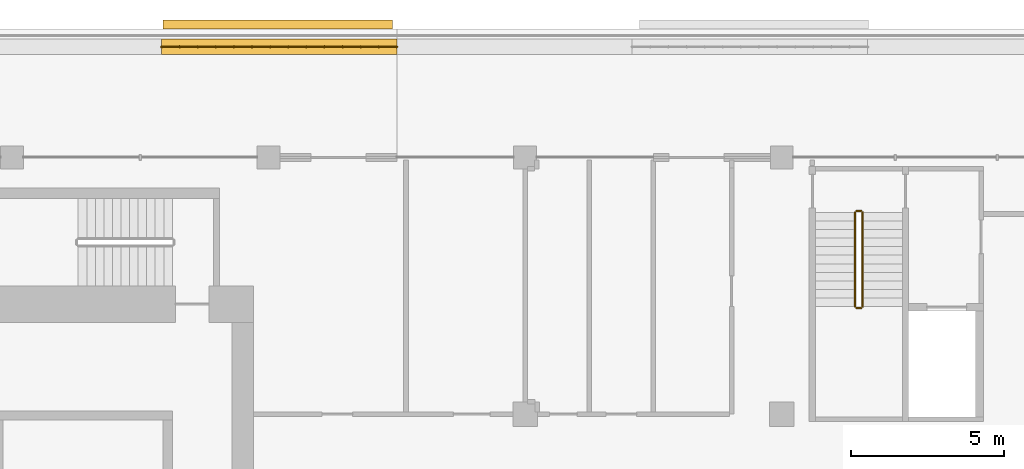
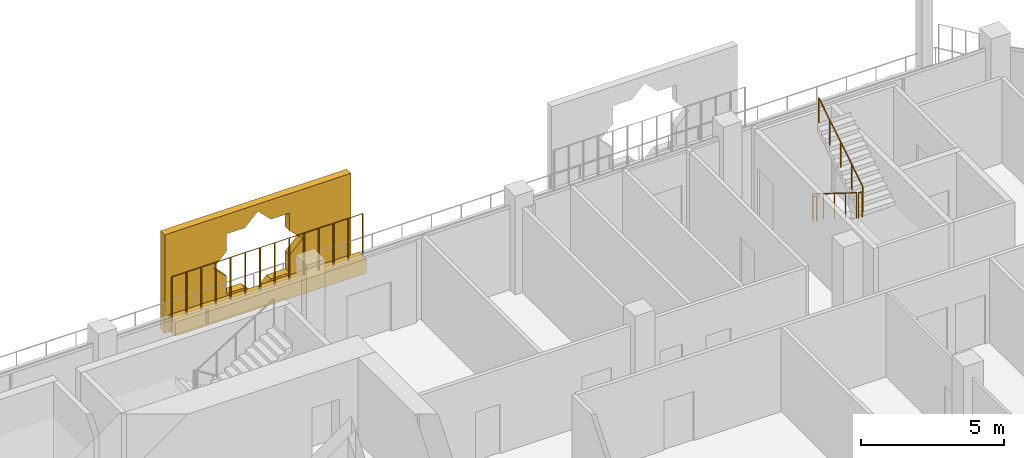
# One storey, part 20 of 21: 5 railings, 2 coverings.
"""IFC4 building model written with IfcOpenShell, lengths in metres."""

from ifc_helpers import new_model, si_unit, direction, frame, origin, origin_2d, place, context, subcontext, project, spatial, polyline, rectangle, circle, outline, extrude, material, material_profile, profile_set, type_object, element, save


model = new_model("IFC4")

# Units and contexts
model_context = context("Model", 3, precision=1e-05, world=origin(), true_north=direction((0.0, 1.0)))
body_context = subcontext(model_context, "Body", "Model", "MODEL_VIEW")
ifc_project = project(units=[si_unit("LENGTHUNIT", "METRE"), si_unit("AREAUNIT", "SQUARE_METRE"), si_unit("VOLUMEUNIT", "CUBIC_METRE"), si_unit("PLANEANGLEUNIT", "RADIAN"), si_unit("MASSUNIT", "GRAM", prefix="KILO")], contexts=[model_context])

# Site, building, storey
site_placement = place(None, origin())
site = spatial("IfcSite", under=ifc_project, at=site_placement, CompositionType="ELEMENT")
building_placement = place(site_placement, origin())
building = spatial("IfcBuilding", under=site, at=building_placement, Name="Kawkab Arch Medical Tower", CompositionType="ELEMENT")
storey_placement = place(building_placement, frame((0.0, 0.0, 311.199951171875)))
storey = spatial("IfcBuildingStorey", under=building, at=storey_placement, Name="L72", CompositionType="ELEMENT", Elevation=311.199951171875)

# Coverings
ifc_material_1 = material(Name="Bronze anodised aluminium mashrabiya panel, eight-point star pattern", Category="aluminium")
ifc_material_profile_1 = material_profile(ifc_material_1, outline(polyline([(-3.75, -2.10009765625), (3.75, -2.10009765625), (3.75, 2.10009765625), (-3.75, 2.10009765625), (-3.75, -2.10009765625)]), holes=[polyline([(1.800048828125, 0.0), (1.272705078125, 0.527099609375), (1.272705078125, 1.272705078125), (0.527099609375, 1.272705078125), (0.0, 1.800048828125), (-0.527099609375, 1.272705078125), (-1.272705078125, 1.272705078125), (-1.272705078125, 0.527099609375), (-1.800048828125, 0.0), (-1.272705078125, -0.527099609375), (-1.272705078125, -1.272705078125), (-0.527099609375, -1.272705078125), (0.0, -1.800048828125), (0.527099609375, -1.272705078125), (1.272705078125, -1.272705078125), (1.272705078125, -0.527099609375), (1.800048828125, 0.0)])]), Name="Mashrabiya panel 7500x4200")
ifc_profile_set_1 = profile_set([ifc_material_profile_1], Name="Bronze anodised aluminium mashrabiya panel, eight-point star pattern")
covering_type_1 = type_object("IfcCoveringType", Name="Mashrabiya panel 7500 x 4200", PredefinedType="USERDEFINED", material=ifc_profile_set_1)
covering_1_placement = place(storey_placement, frame((25.500732421875, 4.199951171875, 1.699951171875), z_axis=(0.0, 1.0, 0.0), x_axis=(-1.0, 0.0, 0.0)))
element("IfcCovering", 1, at=covering_1_placement, inside=storey, type_object=covering_type_1, Name="Mashrabiya panel L72.LOG-01-01.4", ObjectType="SCREEN", PredefinedType="USERDEFINED", context=body_context, shape_type="SweptSolid", body=[
    extrude(outline(polyline([(-3.75, -2.10009765625), (3.75, -2.10009765625), (3.75, 2.10009765625), (-3.75, 2.10009765625), (-3.75, -2.10009765625)]), holes=[polyline([(1.800048828125, 0.0), (1.272705078125, 0.527099609375), (1.272705078125, 1.272705078125), (0.527099609375, 1.272705078125), (0.0, 1.800048828125), (-0.527099609375, 1.272705078125), (-1.272705078125, 1.272705078125), (-1.272705078125, 0.527099609375), (-1.800048828125, 0.0), (-1.272705078125, -0.527099609375), (-1.272705078125, -1.272705078125), (-0.527099609375, -1.272705078125), (0.0, -1.800048828125), (0.527099609375, -1.272705078125), (1.272705078125, -1.272705078125), (1.272705078125, -0.527099609375), (1.800048828125, 0.0)])]), origin(), (0.0, 0.0, 1.0), 0.300048828125),
])
ifc_material_2 = material(Name="Planting soil in a precast trough", Category="concrete")
ifc_material_profile_2 = material_profile(ifc_material_2, rectangle(XDim=0.5, YDim=0.60009765625, at=origin_2d()), Name="Trough 500x600")
ifc_profile_set_2 = profile_set([ifc_material_profile_2], Name="Planting soil in a precast trough")
covering_type_2 = type_object("IfcCoveringType", Name="Planter trough 500 x 600", PredefinedType="USERDEFINED", material=ifc_profile_set_2)
covering_2_placement = place(storey_placement, frame((21.695068359375, 3.6201171875, 0.300048828125), z_axis=(1.0, 0.0, 0.0), x_axis=(0.0, 1.0, 0.0)))
element("IfcCovering", 2, at=covering_2_placement, inside=storey, type_object=covering_type_2, Name="Planter L72.LOG-01-01.15", ObjectType="PLANTER", PredefinedType="USERDEFINED", context=body_context, shape_type="SweptSolid", body=[
    extrude(rectangle(XDim=0.5, YDim=0.60009765625, at=origin_2d()), origin(), (0.0, 0.0, 1.0), 7.704833984375),
])

# Railings
ifc_material_3 = material(Name="Bronze anodised aluminium trellis for climbing plants", Category="aluminium")
railing_type_1 = type_object("IfcRailingType", Name="Planting trellis 2400", PredefinedType="USERDEFINED", material=ifc_material_3)
railing_1_placement = place(storey_placement, frame((21.695068359375, 3.6201171875, 0.0)))
element("IfcRailing", 3, at=railing_1_placement, inside=storey, type_object=railing_type_1, Name="Planting trellis L72.LOG-01-01.15", ObjectType="TRELLIS", PredefinedType="USERDEFINED", context=body_context, shape_type="SweptSolid", body=[
    extrude(circle(Radius=0.01513671875, at=origin_2d()), frame((0.0, 0.0, 2.384765625), z_axis=(1.0, 0.0, 0.0), x_axis=(0.0, 1.0, 0.0)), (0.0, 0.0, 1.0), 7.704833984375),
    extrude(circle(Radius=0.030029296875, at=origin_2d()), origin(), (0.0, 0.0, 1.0), 2.369873046875),
    extrude(circle(Radius=0.030029296875, at=origin_2d()), frame((0.5927734375, 0.0, 0.0)), (0.0, 0.0, 1.0), 2.369873046875),
    extrude(circle(Radius=0.030029296875, at=origin_2d()), frame((1.185302734375, 0.0, 0.0)), (0.0, 0.0, 1.0), 2.369873046875),
    extrude(circle(Radius=0.030029296875, at=origin_2d()), frame((1.778076171875, 0.0, 0.0)), (0.0, 0.0, 1.0), 2.369873046875),
    extrude(circle(Radius=0.030029296875, at=origin_2d()), frame((2.37060546875, 0.0, 0.0)), (0.0, 0.0, 1.0), 2.369873046875),
    extrude(circle(Radius=0.030029296875, at=origin_2d()), frame((2.96337890625, 0.0, 0.0)), (0.0, 0.0, 1.0), 2.369873046875),
    extrude(circle(Radius=0.030029296875, at=origin_2d()), frame((3.55615234375, 0.0, 0.0)), (0.0, 0.0, 1.0), 2.369873046875),
    extrude(circle(Radius=0.030029296875, at=origin_2d()), frame((4.148681640625, 0.0, 0.0)), (0.0, 0.0, 1.0), 2.369873046875),
    extrude(circle(Radius=0.030029296875, at=origin_2d()), frame((4.741455078125, 0.0, 0.0)), (0.0, 0.0, 1.0), 2.369873046875),
    extrude(circle(Radius=0.030029296875, at=origin_2d()), frame((5.334228515625, 0.0, 0.0)), (0.0, 0.0, 1.0), 2.369873046875),
    extrude(circle(Radius=0.030029296875, at=origin_2d()), frame((5.9267578125, 0.0, 0.0)), (0.0, 0.0, 1.0), 2.369873046875),
    extrude(circle(Radius=0.030029296875, at=origin_2d()), frame((6.51953125, 0.0, 0.0)), (0.0, 0.0, 1.0), 2.369873046875),
    extrude(circle(Radius=0.030029296875, at=origin_2d()), frame((7.112060546875, 0.0, 0.0)), (0.0, 0.0, 1.0), 2.369873046875),
    extrude(circle(Radius=0.030029296875, at=origin_2d()), frame((7.704833984375, 0.0, 0.0)), (0.0, 0.0, 1.0), 2.369873046875),
])
ifc_material_4 = material(Name="Stainless steel", Category="steel")
railing_type_2 = type_object("IfcRailingType", Name="Stair guard 1100", PredefinedType="GUARDRAIL", material=ifc_material_4)
railing_2_placement = place(storey_placement, frame((44.39990234375, -1.800048828125, 0.175048828125)))
element("IfcRailing", 4, at=railing_2_placement, inside=storey, type_object=railing_type_2, Name="L72 ST5 stair guard 1", PredefinedType="GUARDRAIL", context=body_context, shape_type="SweptSolid", body=[
    extrude(circle(Radius=0.02392578125, at=origin_2d()), frame((0.0, 0.0, 1.076171875), z_axis=(0.0, -0.847979421464, 0.530029150871), x_axis=(1.0, 0.0, 0.0)), (0.0, 0.0, 1.0), 3.632080078125),
    extrude(circle(Radius=0.02099609375, at=origin_2d()), origin(), (0.0, 0.0, 1.0), 1.052001953125),
    extrude(circle(Radius=0.02099609375, at=origin_2d()), frame((0.0, -0.77001953125, 0.481201171875)), (0.0, 0.0, 1.0), 1.052001953125),
    extrude(circle(Radius=0.02099609375, at=origin_2d()), frame((0.0, -1.5400390625, 0.96240234375)), (0.0, 0.0, 1.0), 1.052001953125),
    extrude(circle(Radius=0.02099609375, at=origin_2d()), frame((0.0, -2.309814453125, 1.44384765625)), (0.0, 0.0, 1.0), 1.052001953125),
    extrude(circle(Radius=0.02099609375, at=origin_2d()), frame((0.0, -3.079833984375, 1.925048828125)), (0.0, 0.0, 1.0), 1.052001953125),
])
railing_3_placement = place(storey_placement, frame((44.449951171875, -4.929931640625, 2.10009765625)))
element("IfcRailing", 5, at=railing_3_placement, inside=storey, type_object=railing_type_2, Name="L72 ST5 stair guard 2", PredefinedType="GUARDRAIL", context=body_context, shape_type="SweptSolid", body=[
    extrude(circle(Radius=0.02392578125, at=origin_2d()), frame((0.0, 0.0, 1.076171875), z_axis=(1.0, 0.0, 0.0), x_axis=(0.0, 1.0, 0.0)), (0.0, 0.0, 1.0), 0.150146484375),
    extrude(circle(Radius=0.02099609375, at=origin_2d()), origin(), (0.0, 0.0, 1.0), 1.052001953125),
    extrude(circle(Radius=0.02099609375, at=origin_2d()), frame((0.150146484375, 0.0, 0.0)), (0.0, 0.0, 1.0), 1.052001953125),
])
railing_4_placement = place(storey_placement, frame((44.64990234375, -4.8798828125, 2.275146484375)))
element("IfcRailing", 6, at=railing_4_placement, inside=storey, type_object=railing_type_2, Name="L72 ST5 stair guard 3", PredefinedType="GUARDRAIL", context=body_context, shape_type="SweptSolid", body=[
    extrude(circle(Radius=0.02392578125, at=origin_2d()), frame((0.0, 0.0, 1.076171875), z_axis=(0.0, 0.848009633417, 0.529980812513), x_axis=(-1.0, 0.0, 0.0)), (0.0, 0.0, 1.0), 3.6318359375),
    extrude(circle(Radius=0.02099609375, at=origin_2d()), origin(), (0.0, 0.0, 1.0), 1.052001953125),
    extrude(circle(Radius=0.02099609375, at=origin_2d()), frame((0.0, 0.77001953125, 0.481201171875)), (0.0, 0.0, 1.0), 1.052001953125),
    extrude(circle(Radius=0.02099609375, at=origin_2d()), frame((0.0, 1.5400390625, 0.96240234375)), (0.0, 0.0, 1.0), 1.052001953125),
    extrude(circle(Radius=0.02099609375, at=origin_2d()), frame((0.0, 2.309814453125, 1.443603515625)), (0.0, 0.0, 1.0), 1.052001953125),
    extrude(circle(Radius=0.02099609375, at=origin_2d()), frame((0.0, 3.079833984375, 1.9248046875)), (0.0, 0.0, 1.0), 1.052001953125),
])
railing_5_placement = place(storey_placement, frame((44.449951171875, -1.75, 0.0)))
element("IfcRailing", 7, at=railing_5_placement, inside=storey, type_object=railing_type_2, Name="L72 ST5 stair guard 4", PredefinedType="GUARDRAIL", context=body_context, shape_type="SweptSolid", body=[
    extrude(circle(Radius=0.02392578125, at=origin_2d()), frame((0.0, 0.0, 1.076171875), z_axis=(1.0, 0.0, 0.0), x_axis=(0.0, 1.0, 0.0)), (0.0, 0.0, 1.0), 0.150146484375),
    extrude(circle(Radius=0.02099609375, at=origin_2d()), origin(), (0.0, 0.0, 1.0), 1.052001953125),
    extrude(circle(Radius=0.02099609375, at=origin_2d()), frame((0.150146484375, 0.0, 0.0)), (0.0, 0.0, 1.0), 1.052001953125),
])

save(model, "model.ifc")
